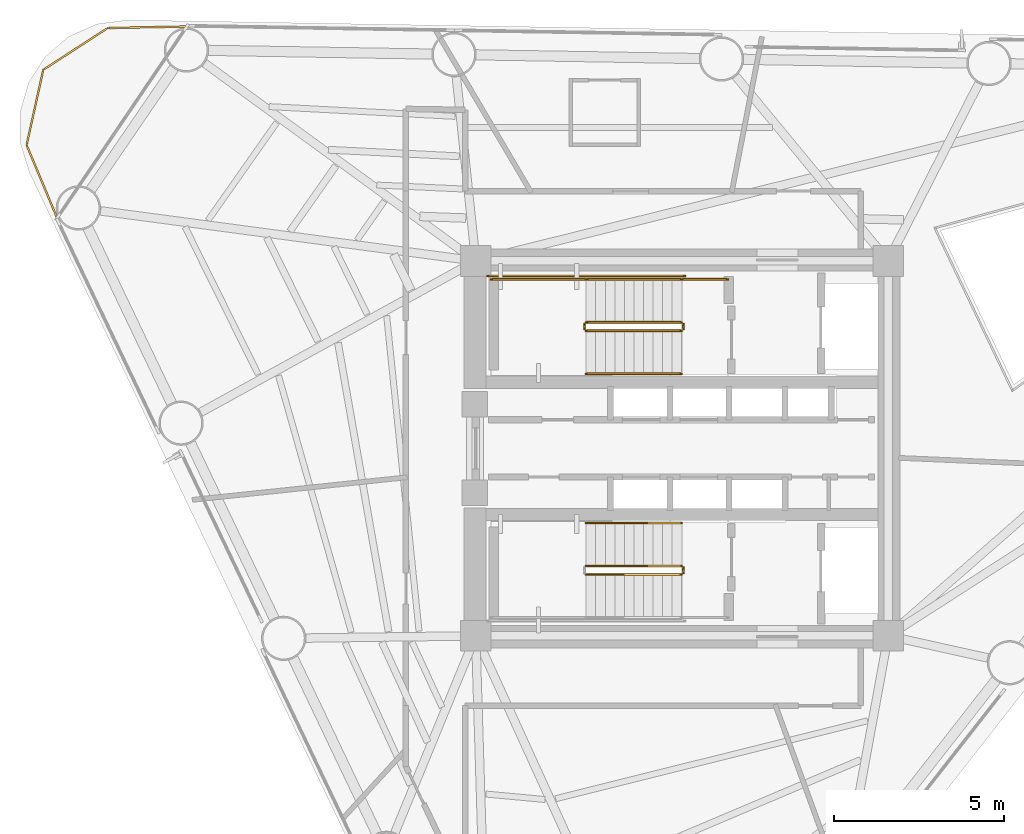
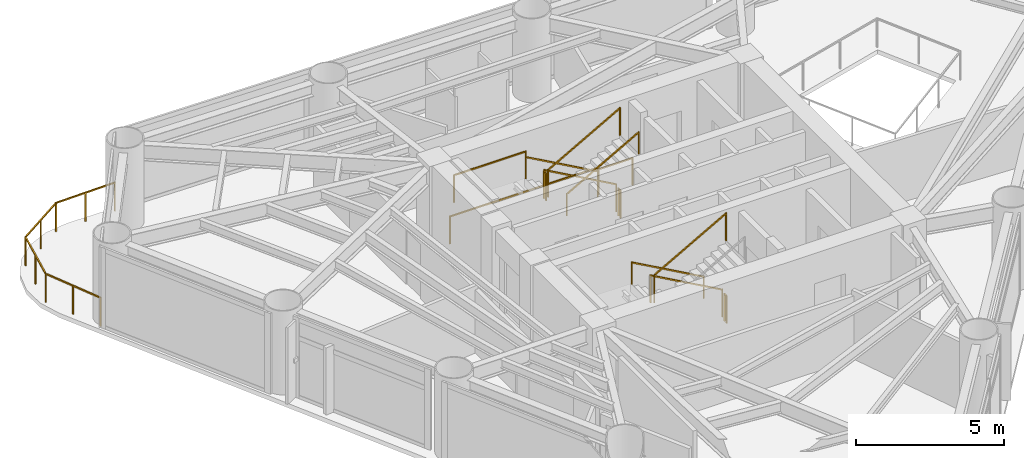
# One storey, part 9 of 10: 14 railings.
"""IFC4 building model written with IfcOpenShell, lengths in metres."""

from ifc_helpers import new_model, si_unit, direction, frame, origin, origin_2d, place, context, subcontext, project, spatial, rectangle, extrude, material, type_object, element, save


model = new_model("IFC4")

# Units and contexts
model_context = context("Model", 3, precision=1e-05, world=origin(), true_north=direction((0.0, 1.0)))
body_context = subcontext(model_context, "Body", "Model", "MODEL_VIEW")
ifc_project = project(units=[si_unit("LENGTHUNIT", "METRE"), si_unit("AREAUNIT", "SQUARE_METRE"), si_unit("VOLUMEUNIT", "CUBIC_METRE"), si_unit("PLANEANGLEUNIT", "RADIAN"), si_unit("MASSUNIT", "GRAM", prefix="KILO")], contexts=[model_context])

# Site, building, storey
site_placement = place(None, origin())
site = spatial("IfcSite", under=ifc_project, at=site_placement, CompositionType="ELEMENT")
building_placement = place(site_placement, origin())
building = spatial("IfcBuilding", under=site, at=building_placement, Name="Yunling Apex Tower", CompositionType="ELEMENT")
storey_placement = place(building_placement, frame((0.0, 0.0, 136.39990234375)))
storey = spatial("IfcBuildingStorey", under=building, at=storey_placement, Name="L33", CompositionType="ELEMENT", Elevation=136.39990234375)

# Railings
ifc_material_1 = material(Name="Bronze anodised aluminium", Category="aluminium")
railing_type_1 = type_object("IfcRailingType", Name="RL-BAL-1200", PredefinedType="BALUSTRADE", material=ifc_material_1)
railing_1_placement = place(storey_placement, frame((-18.331298828125, 6.7578125, 0.0)))
element("IfcRailing", 1, at=railing_1_placement, inside=storey, type_object=railing_type_1, Name="RL-CRNSILL-L33-2", PredefinedType="BALUSTRADE", context=body_context, shape_type="SweptSolid", body=[
    extrude(rectangle(XDim=0.0439453125, YDim=0.0439453125, at=origin_2d()), origin(), (0.0, 0.0, 1.0), 1.199951171875),
    extrude(rectangle(XDim=0.0439453125, YDim=0.0439453125, at=origin_2d()), frame((-0.896240234375, 2.142578125, 0.0)), (0.0, 0.0, 1.0), 1.199951171875),
    extrude(rectangle(XDim=0.050048828125, YDim=0.050048828125, at=origin_2d()), frame((-0.014892578125, 0.035400390625, 1.1748046875), z_axis=(-0.385898856138, 0.92254109547, 0.0), x_axis=(-0.92254109547, -0.385898856138, 0.0)), (0.0, 0.0, 1.0), 2.245849609375),
    extrude(rectangle(XDim=0.0439453125, YDim=0.0439453125, at=origin_2d()), frame((-0.4482421875, 1.0712890625, 0.0)), (0.0, 0.0, 1.0), 1.14599609375),
    extrude(rectangle(XDim=0.0439453125, YDim=0.0439453125, at=origin_2d()), frame((-0.407958984375, 4.349609375, 0.0)), (0.0, 0.0, 1.0), 1.199951171875),
    extrude(rectangle(XDim=0.050048828125, YDim=0.050048828125, at=origin_2d()), frame((-0.887939453125, 2.179931640625, 1.1748046875), z_axis=(0.216015473483, 0.976389940145, 0.0), x_axis=(-0.976389940145, 0.216015473483, 0.0)), (0.0, 0.0, 1.0), 2.183837890625),
    extrude(rectangle(XDim=0.0439453125, YDim=0.0439453125, at=origin_2d()), frame((-0.652099609375, 3.24609375, 0.0)), (0.0, 0.0, 1.0), 1.14599609375),
    extrude(rectangle(XDim=0.0439453125, YDim=0.0439453125, at=origin_2d()), frame((1.482666015625, 5.574951171875, 0.0)), (0.0, 0.0, 1.0), 1.199951171875),
    extrude(rectangle(XDim=0.050048828125, YDim=0.050048828125, at=origin_2d()), frame((-0.375732421875, 4.370361328125, 1.1748046875), z_axis=(0.83916580884, 0.543875670786, 0.0), x_axis=(-0.543875670786, 0.83916580884, 0.0)), (0.0, 0.0, 1.0), 2.17626953125),
    extrude(rectangle(XDim=0.0439453125, YDim=0.0439453125, at=origin_2d()), frame((0.537353515625, 4.96240234375, 0.0)), (0.0, 0.0, 1.0), 1.14599609375),
    extrude(rectangle(XDim=0.0439453125, YDim=0.0439453125, at=origin_2d()), frame((3.805419921875, 5.6220703125, 0.0)), (0.0, 0.0, 1.0), 1.199951171875),
    extrude(rectangle(XDim=0.050048828125, YDim=0.050048828125, at=origin_2d()), frame((1.52099609375, 5.57568359375, 1.1748046875), z_axis=(0.999794304726, 0.020281721759, 0.0), x_axis=(-0.020281721759, 0.999794304726, 0.0)), (0.0, 0.0, 1.0), 2.24658203125),
    extrude(rectangle(XDim=0.0439453125, YDim=0.0439453125, at=origin_2d()), frame((2.64404296875, 5.5986328125, 0.0)), (0.0, 0.0, 1.0), 1.14599609375),
])
ifc_material_2 = material(Name="Steel Q355B", Category="steel")
railing_type_2 = type_object("IfcRailingType", Name="RL-GRD-1150", PredefinedType="GUARDRAIL", material=ifc_material_2)
railing_2_placement = place(storey_placement, frame((-0.010009765625, 3.699951171875, 0.156982421875)))
element("IfcRailing", 2, at=railing_2_placement, inside=storey, type_object=railing_type_2, Name="L33 ST-1 stair guard 1", PredefinedType="GUARDRAIL", context=body_context, shape_type="SweptSolid", body=[
    extrude(rectangle(XDim=0.0439453125, YDim=0.0439453125, at=origin_2d()), origin(), (0.0, 0.0, 1.0), 1.14990234375),
    extrude(rectangle(XDim=0.0439453125, YDim=0.0439453125, at=origin_2d()), frame((-2.800048828125, 0.0, 1.568115234375)), (0.0, 0.0, 1.0), 1.14990234375),
    extrude(rectangle(XDim=0.050048828125, YDim=0.050048828125, at=origin_2d()), frame((-0.033447265625, 0.0, 1.1435546875), z_axis=(-0.872494340497, 0.0, 0.48862421737), x_axis=(0.0, -1.0, 0.0)), (0.0, 0.0, 1.0), 3.132568359375),
])
railing_3_placement = place(storey_placement, frame((-2.860107421875, 3.64990234375, 1.72509765625)))
element("IfcRailing", 3, at=railing_3_placement, inside=storey, type_object=railing_type_2, Name="L33 ST-1 stair guard 2", PredefinedType="GUARDRAIL", context=body_context, shape_type="SweptSolid", body=[
    extrude(rectangle(XDim=0.0439453125, YDim=0.0439453125, at=origin_2d()), origin(), (0.0, 0.0, 1.0), 1.14990234375),
    extrude(rectangle(XDim=0.0439453125, YDim=0.0439453125, at=origin_2d()), frame((0.0, -0.14990234375, 0.0)), (0.0, 0.0, 1.0), 1.14990234375),
    extrude(rectangle(XDim=0.050048828125, YDim=0.050048828125, at=origin_2d()), frame((0.0, -0.038330078125, 1.125), z_axis=(0.0, -1.0, 0.0), x_axis=(1.0, 0.0, 0.0)), (0.0, 0.0, 1.0), 0.0732421875),
])
railing_4_placement = place(storey_placement, frame((-2.81005859375, 4.9599609375, 1.72509765625)))
element("IfcRailing", 4, at=railing_4_placement, inside=storey, type_object=railing_type_2, Name="L33 ST-1 stair guard 3", PredefinedType="GUARDRAIL", context=body_context, shape_type="SweptSolid", body=[
    extrude(rectangle(XDim=0.0439453125, YDim=0.0439453125, at=origin_2d()), origin(), (0.0, 0.0, 1.0), 1.14990234375),
    extrude(rectangle(XDim=0.0439453125, YDim=0.0439453125, at=origin_2d()), frame((-2.7900390625, 0.0, 0.0)), (0.0, 0.0, 1.0), 1.14990234375),
    extrude(rectangle(XDim=0.050048828125, YDim=0.050048828125, at=origin_2d()), frame((-0.038330078125, 0.0, 1.125), z_axis=(-1.0, 0.0, 0.0), x_axis=(0.0, -1.0, 0.0)), (0.0, 0.0, 1.0), 2.71337890625),
])
railing_5_placement = place(storey_placement, frame((-2.81005859375, 3.449951171875, 1.8818359375)))
element("IfcRailing", 5, at=railing_5_placement, inside=storey, type_object=railing_type_2, Name="L33 ST-1 stair guard 4", PredefinedType="GUARDRAIL", context=body_context, shape_type="SweptSolid", body=[
    extrude(rectangle(XDim=0.0439453125, YDim=0.0439453125, at=origin_2d()), origin(), (0.0, 0.0, 1.0), 1.14990234375),
    extrude(rectangle(XDim=0.0439453125, YDim=0.0439453125, at=origin_2d()), frame((2.800048828125, 0.0, 1.568359375)), (0.0, 0.0, 1.0), 1.14990234375),
    extrude(rectangle(XDim=0.050048828125, YDim=0.050048828125, at=origin_2d()), frame((0.033447265625, 0.0, 1.1435546875), z_axis=(0.872461907711, 0.0, 0.488682125306), x_axis=(0.0, 1.0, 0.0)), (0.0, 0.0, 1.0), 3.1328125),
])
railing_6_placement = place(storey_placement, frame((0.0400390625, 3.64990234375, 0.0)))
element("IfcRailing", 6, at=railing_6_placement, inside=storey, type_object=railing_type_2, Name="L33 ST-1 stair guard 5", PredefinedType="GUARDRAIL", context=body_context, shape_type="SweptSolid", body=[
    extrude(rectangle(XDim=0.0439453125, YDim=0.0439453125, at=origin_2d()), origin(), (0.0, 0.0, 1.0), 1.14990234375),
    extrude(rectangle(XDim=0.0439453125, YDim=0.0439453125, at=origin_2d()), frame((0.0, -0.14990234375, 0.0)), (0.0, 0.0, 1.0), 1.14990234375),
    extrude(rectangle(XDim=0.050048828125, YDim=0.050048828125, at=origin_2d()), frame((0.0, -0.038330078125, 1.125), z_axis=(0.0, -1.0, 0.0), x_axis=(1.0, 0.0, 0.0)), (0.0, 0.0, 1.0), 0.0732421875),
])
railing_7_placement = place(storey_placement, frame((1.35009765625, 4.9599609375, 0.0)))
element("IfcRailing", 7, at=railing_7_placement, inside=storey, type_object=railing_type_2, Name="L33 ST-1 stair guard 6", PredefinedType="GUARDRAIL", context=body_context, shape_type="SweptSolid", body=[
    extrude(rectangle(XDim=0.0439453125, YDim=0.0439453125, at=origin_2d()), origin(), (0.0, 0.0, 1.0), 1.14990234375),
    extrude(rectangle(XDim=0.0439453125, YDim=0.0439453125, at=origin_2d()), frame((-1.360107421875, 0.0, 0.0)), (0.0, 0.0, 1.0), 1.14990234375),
    extrude(rectangle(XDim=0.050048828125, YDim=0.050048828125, at=origin_2d()), frame((-0.038330078125, 0.0, 1.125), z_axis=(-1.0, 0.0, 0.0), x_axis=(0.0, -1.0, 0.0)), (0.0, 0.0, 1.0), 1.283447265625),
])
railing_8_placement = place(storey_placement, frame((0.090087890625, 5.06005859375, 0.0)))
element("IfcRailing", 8, at=railing_8_placement, inside=storey, type_object=railing_type_2, Name="L33 ST-1 stair guard 7", PredefinedType="GUARDRAIL", context=body_context, shape_type="SweptSolid", body=[
    extrude(rectangle(XDim=0.0439453125, YDim=0.0439453125, at=origin_2d()), origin(), (0.0, 0.0, 1.0), 1.14990234375),
    extrude(rectangle(XDim=0.0439453125, YDim=0.0439453125, at=origin_2d()), frame((-5.7900390625, 0.0, 0.0)), (0.0, 0.0, 1.0), 1.14990234375),
    extrude(rectangle(XDim=0.050048828125, YDim=0.050048828125, at=origin_2d()), frame((-0.038330078125, 0.0, 1.125), z_axis=(-1.0, 0.0, 0.0), x_axis=(0.0, -1.0, 0.0)), (0.0, 0.0, 1.0), 5.71337890625),
])
railing_9_placement = place(storey_placement, frame((-0.010009765625, -3.449951171875, 0.156982421875)))
element("IfcRailing", 9, at=railing_9_placement, inside=storey, type_object=railing_type_2, Name="L33 ST-2 stair guard 1", PredefinedType="GUARDRAIL", context=body_context, shape_type="SweptSolid", body=[
    extrude(rectangle(XDim=0.0439453125, YDim=0.0439453125, at=origin_2d()), origin(), (0.0, 0.0, 1.0), 1.14990234375),
    extrude(rectangle(XDim=0.0439453125, YDim=0.0439453125, at=origin_2d()), frame((-2.800048828125, 0.0, 1.568115234375)), (0.0, 0.0, 1.0), 1.14990234375),
    extrude(rectangle(XDim=0.050048828125, YDim=0.050048828125, at=origin_2d()), frame((-0.033447265625, 0.0, 1.1435546875), z_axis=(-0.872494340497, 0.0, 0.48862421737), x_axis=(0.0, -1.0, 0.0)), (0.0, 0.0, 1.0), 3.132568359375),
])
railing_10_placement = place(storey_placement, frame((-2.81005859375, -3.699951171875, 1.8818359375)))
element("IfcRailing", 10, at=railing_10_placement, inside=storey, type_object=railing_type_2, Name="L33 ST-2 stair guard 4", PredefinedType="GUARDRAIL", context=body_context, shape_type="SweptSolid", body=[
    extrude(rectangle(XDim=0.0439453125, YDim=0.0439453125, at=origin_2d()), origin(), (0.0, 0.0, 1.0), 1.14990234375),
    extrude(rectangle(XDim=0.0439453125, YDim=0.0439453125, at=origin_2d()), frame((2.800048828125, 0.0, 1.568359375)), (0.0, 0.0, 1.0), 1.14990234375),
    extrude(rectangle(XDim=0.050048828125, YDim=0.050048828125, at=origin_2d()), frame((0.033447265625, 0.0, 1.1435546875), z_axis=(0.872461907711, 0.0, 0.488682125306), x_axis=(0.0, 1.0, 0.0)), (0.0, 0.0, 1.0), 3.1328125),
])
railing_11_placement = place(storey_placement, frame((0.0400390625, -3.5, 0.0)))
element("IfcRailing", 11, at=railing_11_placement, inside=storey, type_object=railing_type_2, Name="L33 ST-2 stair guard 5", PredefinedType="GUARDRAIL", context=body_context, shape_type="SweptSolid", body=[
    extrude(rectangle(XDim=0.0439453125, YDim=0.0439453125, at=origin_2d()), origin(), (0.0, 0.0, 1.0), 1.14990234375),
    extrude(rectangle(XDim=0.0439453125, YDim=0.0439453125, at=origin_2d()), frame((0.0, -0.14990234375, 0.0)), (0.0, 0.0, 1.0), 1.14990234375),
    extrude(rectangle(XDim=0.050048828125, YDim=0.050048828125, at=origin_2d()), frame((0.0, -0.038330078125, 1.125), z_axis=(0.0, -1.0, 0.0), x_axis=(1.0, 0.0, 0.0)), (0.0, 0.0, 1.0), 0.0732421875),
])
ifc_material_3 = material(Name="Silver anodised aluminium", Category="aluminium")
railing_type_3 = type_object("IfcRailingType", Name="RL-HND-900", PredefinedType="HANDRAIL", material=ifc_material_3)
railing_12_placement = place(storey_placement, frame((-0.010009765625, 4.9599609375, 0.156982421875)))
element("IfcRailing", 12, at=railing_12_placement, inside=storey, type_object=railing_type_3, Name="L33 ST-1 stair handrail 1", PredefinedType="HANDRAIL", context=body_context, shape_type="SweptSolid", body=[
    extrude(rectangle(XDim=0.0439453125, YDim=0.0439453125, at=origin_2d()), origin(), (0.0, 0.0, 1.0), 0.919921875),
    extrude(rectangle(XDim=0.0439453125, YDim=0.0439453125, at=origin_2d()), frame((-2.800048828125, 0.0, 1.568115234375)), (0.0, 0.0, 1.0), 0.919921875),
    extrude(rectangle(XDim=0.050048828125, YDim=0.050048828125, at=origin_2d()), frame((-0.033447265625, 0.0, 0.91357421875), z_axis=(-0.872494340497, 0.0, 0.48862421737), x_axis=(0.0, -1.0, 0.0)), (0.0, 0.0, 1.0), 3.132568359375),
])
railing_13_placement = place(storey_placement, frame((-2.81005859375, 2.18994140625, 1.8818359375)))
element("IfcRailing", 13, at=railing_13_placement, inside=storey, type_object=railing_type_3, Name="L33 ST-1 stair handrail 2", PredefinedType="HANDRAIL", context=body_context, shape_type="SweptSolid", body=[
    extrude(rectangle(XDim=0.0439453125, YDim=0.0439453125, at=origin_2d()), origin(), (0.0, 0.0, 1.0), 0.919921875),
    extrude(rectangle(XDim=0.0439453125, YDim=0.0439453125, at=origin_2d()), frame((2.800048828125, 0.0, 1.568359375)), (0.0, 0.0, 1.0), 0.919921875),
    extrude(rectangle(XDim=0.050048828125, YDim=0.050048828125, at=origin_2d()), frame((0.033447265625, 0.0, 0.91357421875), z_axis=(0.872461907711, 0.0, 0.488682125306), x_axis=(0.0, 1.0, 0.0)), (0.0, 0.0, 1.0), 3.1328125),
])
railing_14_placement = place(storey_placement, frame((-0.010009765625, -2.18994140625, 0.156982421875)))
element("IfcRailing", 14, at=railing_14_placement, inside=storey, type_object=railing_type_3, Name="L33 ST-2 stair handrail 1", PredefinedType="HANDRAIL", context=body_context, shape_type="SweptSolid", body=[
    extrude(rectangle(XDim=0.0439453125, YDim=0.0439453125, at=origin_2d()), origin(), (0.0, 0.0, 1.0), 0.919921875),
    extrude(rectangle(XDim=0.0439453125, YDim=0.0439453125, at=origin_2d()), frame((-2.800048828125, 0.0, 1.568115234375)), (0.0, 0.0, 1.0), 0.919921875),
    extrude(rectangle(XDim=0.050048828125, YDim=0.050048828125, at=origin_2d()), frame((-0.033447265625, 0.0, 0.91357421875), z_axis=(-0.872494340497, 0.0, 0.48862421737), x_axis=(0.0, -1.0, 0.0)), (0.0, 0.0, 1.0), 3.132568359375),
])

save(model, "model.ifc")
